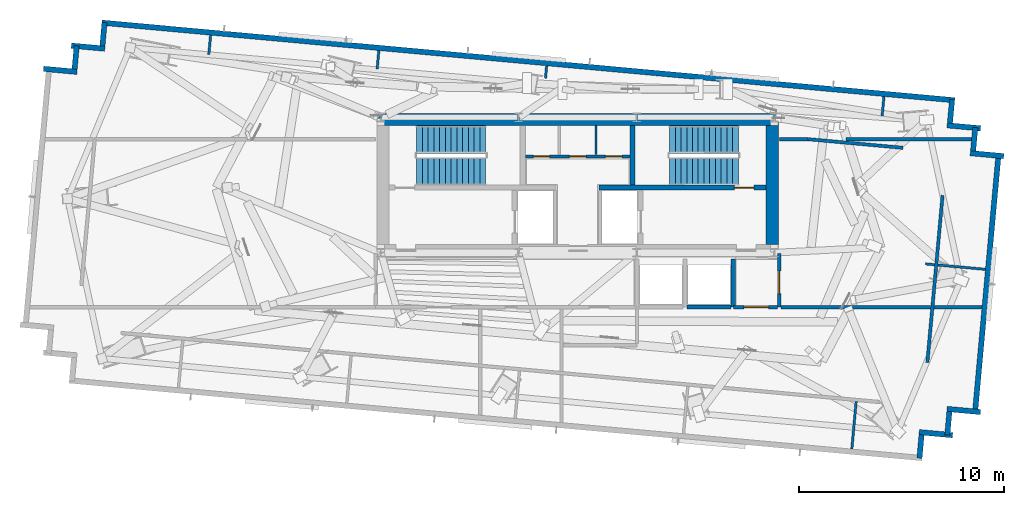
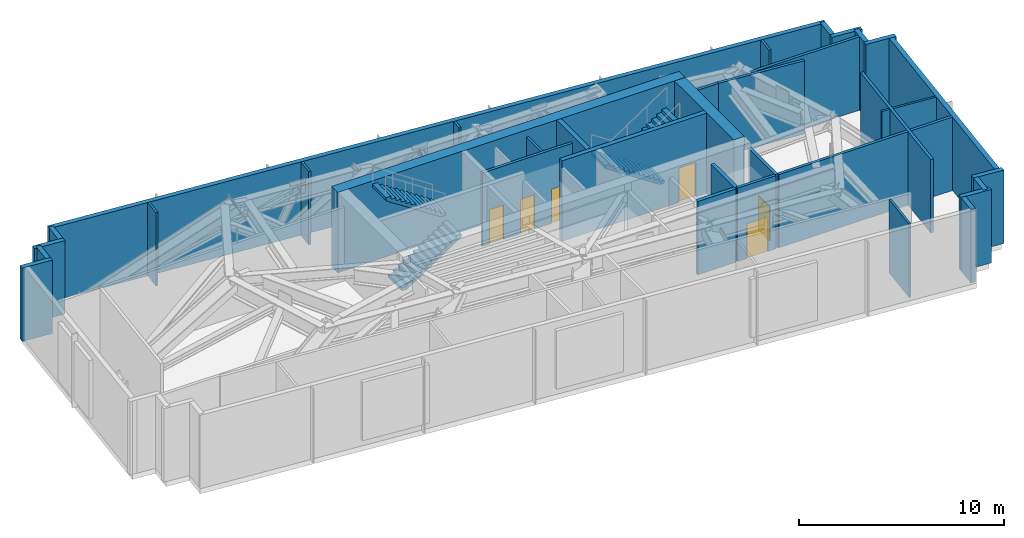
# One storey, part 6 of 9: 37 walls, 6 doors, 4 stair flights, 6 openings, 2 elements without a shape of their own.
"""IFC4 building model written with IfcOpenShell, lengths in metres."""

import ifcopenshell
import ifcopenshell.guid

model = None  # the IFC model being written
_history = None  # IfcOwnerHistory: only IFC2X3 demands one
_inside = {}  # id of a spatial element -> (the spatial element, [elements in it])
_under = {}  # id of a project, library or spatial element -> (it, [spatial elements below it])
_declared = {}  # id of a project -> (the project, [libraries it declares])
_typed = {}  # id of a type object -> (the type object, [elements of that type])
_made_of = {}  # id of a material, layer set ... -> (it, [elements and type objects made of it])


def new_model(schema):
    """Start an empty IFC model of exactly this schema.

    Asked for "IFC4X3", IfcOpenShell would pick the latest addendum, in which some entities
    have other attributes; the version numbers below select the first issue.
    IFC2X3 requires an IfcOwnerHistory on every rooted entity: one is made here for all.
    """
    global model, _history
    if schema == "IFC4X3":
        model = ifcopenshell.file(schema_version=(4, 3, 0, 0))
    else:
        model = ifcopenshell.file(schema=schema)
    _inside.clear()
    _under.clear()
    _declared.clear()
    _typed.clear()
    _made_of.clear()
    _history = None
    if model.schema == "IFC2X3":
        org = make("IfcOrganization", Name="unknown")
        user = make(
            "IfcPersonAndOrganization",
            ThePerson=make("IfcPerson", FamilyName="unknown"),
            TheOrganization=org,
        )
        app = make(
            "IfcApplication",
            ApplicationDeveloper=org,
            Version="unknown",
            ApplicationFullName="unknown",
            ApplicationIdentifier="unknown",
        )
        _history = make(
            "IfcOwnerHistory",
            OwningUser=user,
            OwningApplication=app,
            ChangeAction="ADDED",
            CreationDate=0,
        )
    return model


def make(cls, **values):
    """One entity of the class cls with the attributes given. An attribute that is None is left unset."""
    return model.create_entity(
        cls, **{name: value for name, value in values.items() if value is not None}
    )


def rooted(cls, **values):
    """An entity with a GlobalId (a new one), such as an element, a storey or a relation."""
    return make(cls, GlobalId=ifcopenshell.guid.new(), OwnerHistory=_history, **values)


def si_unit(unit_type, name, prefix=None):
    """IfcSIUnit, for example si_unit("LENGTHUNIT", "METRE", prefix="MILLI")."""
    return make("IfcSIUnit", UnitType=unit_type, Prefix=prefix, Name=name)


def assignment(units):
    """IfcUnitAssignment: the units of a project."""
    return None if units is None else make("IfcUnitAssignment", Units=units)


def point(xyz):
    """IfcCartesianPoint."""
    return None if xyz is None else make("IfcCartesianPoint", Coordinates=xyz)


def direction(xyz):
    """IfcDirection."""
    return None if xyz is None else make("IfcDirection", DirectionRatios=xyz)


def frame(location, z_axis=None, x_axis=None):
    """IfcAxis2Placement3D, a coordinate frame: its origin and axes. An axis left out is left unset."""
    return make(
        "IfcAxis2Placement3D",
        Location=point(location),
        Axis=direction(z_axis),
        RefDirection=direction(x_axis),
    )


def frame_2d(location, x_axis=None):
    """IfcAxis2Placement2D, a coordinate frame in the plane: its origin and x axis."""
    return make(
        "IfcAxis2Placement2D", Location=point(location), RefDirection=direction(x_axis)
    )


def origin():
    """The frame at (0, 0, 0) with its axes left unset."""
    return frame((0.0, 0.0, 0.0))


def place(relative_to, where):
    """IfcLocalPlacement: puts the frame where relative to a parent placement (None: the world)."""
    return make(
        "IfcLocalPlacement", PlacementRelTo=relative_to, RelativePlacement=where
    )


def context(
    kind, dimensions, precision=None, world=None, true_north=None, identifier=None
):
    """IfcGeometricRepresentationContext, for example the 3D "Model" context."""
    return make(
        "IfcGeometricRepresentationContext",
        ContextIdentifier=identifier,
        ContextType=kind,
        CoordinateSpaceDimension=dimensions,
        Precision=precision,
        WorldCoordinateSystem=world,
        TrueNorth=true_north,
    )


def subcontext(parent, identifier, kind, view, scale=None):
    """IfcGeometricRepresentationSubContext, for example "Body" below "Model"."""
    return make(
        "IfcGeometricRepresentationSubContext",
        ContextIdentifier=identifier,
        ContextType=kind,
        ParentContext=parent,
        TargetScale=scale,
        TargetView=view,
    )


def project(units=None, contexts=None):
    """IfcProject with its units and contexts."""
    return rooted(
        "IfcProject",
        Name="project",
        RepresentationContexts=contexts,
        UnitsInContext=assignment(units),
    )


def spatial(cls, under=None, at=None, **own):
    """A site, building, storey or space (cls), placed at a placement, below another one or the project."""
    s = rooted(cls, ObjectPlacement=at, **own)
    if under is not None:
        _under.setdefault(under.id(), (under, []))[1].append(s)
    return s


def polyline(points):
    """IfcPolyline through the points."""
    return make("IfcPolyline", Points=[point(p) for p in points])


def profile(cls, at=None, kind="AREA", **sizes):
    """A parametric profile (cls). Its sizes go by their IFC names, for example OverallWidth=200.0."""
    return make(cls, ProfileType=kind, Position=at, **sizes)


def rectangle(**sizes):
    """IfcRectangleProfileDef."""
    return profile("IfcRectangleProfileDef", **sizes)


def outline(outer, holes=None, kind="AREA"):
    """IfcArbitraryClosedProfileDef: a profile drawn as a closed curve; with holes, ...WithVoids."""
    if holes is None:
        return make("IfcArbitraryClosedProfileDef", ProfileType=kind, OuterCurve=outer)
    return make(
        "IfcArbitraryProfileDefWithVoids",
        ProfileType=kind,
        OuterCurve=outer,
        InnerCurves=holes,
    )


def extrude(swept, where, along, depth):
    """IfcExtrudedAreaSolid: the profile swept, set in the frame where, extruded along a direction by depth."""
    return make(
        "IfcExtrudedAreaSolid",
        SweptArea=swept,
        Position=where,
        ExtrudedDirection=direction(along),
        Depth=depth,
    )


def shape(context_of_items, identifier, shape_type, items):
    """IfcShapeRepresentation: the items that make up one representation, for example the "Body"."""
    return make(
        "IfcShapeRepresentation",
        ContextOfItems=context_of_items,
        RepresentationIdentifier=identifier,
        RepresentationType=shape_type,
        Items=items,
    )


def source(mapping_origin, context_of_items, identifier, shape_type, items):
    """IfcRepresentationMap: a shape defined once, which mapped items show again and again."""
    return make(
        "IfcRepresentationMap",
        MappingOrigin=mapping_origin,
        MappedRepresentation=shape(context_of_items, identifier, shape_type, items),
    )


def transform(
    local_origin,
    x_axis=None,
    y_axis=None,
    z_axis=None,
    scale=None,
    scale2=None,
    scale3=None,
    uniform=True,
):
    """IfcCartesianTransformationOperator3D, or its non-uniform kind. x_axis, y_axis, z_axis: its Axis1, 2, 3."""
    if uniform:
        return make(
            "IfcCartesianTransformationOperator3D",
            Axis1=direction(x_axis),
            Axis2=direction(y_axis),
            LocalOrigin=point(local_origin),
            Scale=scale,
            Axis3=direction(z_axis),
        )
    return make(
        "IfcCartesianTransformationOperator3DnonUniform",
        Axis1=direction(x_axis),
        Axis2=direction(y_axis),
        LocalOrigin=point(local_origin),
        Scale=scale,
        Axis3=direction(z_axis),
        Scale2=scale2,
        Scale3=scale3,
    )


def mapped(mapping_source, mapping_target):
    """IfcMappedItem: shows the shape of a source again, moved by a transform."""
    return make(
        "IfcMappedItem", MappingSource=mapping_source, MappingTarget=mapping_target
    )


def material(Name=None, Category=None):
    """IfcMaterial."""
    return make("IfcMaterial", Name=Name, Category=Category)


def layer(
    of_material, thickness, ventilated=None, Name=None, Category=None, Priority=None
):
    """IfcMaterialLayer: one layer of a wall or slab, of a material (None: an air gap)."""
    return make(
        "IfcMaterialLayer",
        Material=of_material,
        LayerThickness=thickness,
        IsVentilated=ventilated,
        Name=Name,
        Category=Category,
        Priority=Priority,
    )


def layer_set(layers, Name=None):
    """IfcMaterialLayerSet."""
    return make("IfcMaterialLayerSet", MaterialLayers=layers, LayerSetName=Name)


def made_of(thing, what):
    """Note that an element or type object is made of a material, layer set ...; save() writes the relation."""
    if what is not None:
        _made_of.setdefault(what.id(), (what, []))[1].append(thing)
    return thing


def type_object(cls, material=None, **own):
    """A type object (cls), such as IfcWallType, which elements share."""
    return made_of(rooted(cls, **own), material)


def type_shapes(of_type, sources):
    """Give a type object the sources (RepresentationMaps) that its elements show as mapped items."""
    of_type.RepresentationMaps = sources


def element(
    cls,
    number,
    at=None,
    inside=None,
    cuts=None,
    type_object=None,
    material=None,
    context=None,
    identifier="Body",
    shape_type=None,
    held_by="IfcProductDefinitionShape",
    body=None,
    shapes=None,
    **own,
):
    """One element of the class cls, such as IfcWall. Its Tag is "e" and its number.

    at: its placement. inside: the storey or other place that contains it. cuts: it is an
    opening in that element (IfcRelVoidsElement). A single representation is given by context,
    identifier, shape_type and body (its items); several are given by shapes. held_by: the class
    of the entity that holds the representations. save() writes the other relations.
    """
    e = rooted(cls, Tag="e%d" % number, ObjectPlacement=at, **own)
    if body is not None:
        shapes = [shape(context, identifier, shape_type, body)]
    if shapes is not None:
        e.Representation = make(held_by, Representations=shapes)
    if inside is not None:
        _inside.setdefault(inside.id(), (inside, []))[1].append(e)
    if cuts is not None:
        rooted(
            "IfcRelVoidsElement", RelatingBuildingElement=cuts, RelatedOpeningElement=e
        )
    if type_object is not None:
        _typed.setdefault(type_object.id(), (type_object, []))[1].append(e)
    return made_of(e, material)


def fill(opening, filler):
    """IfcRelFillsElement: the door or window that sits in an opening."""
    return rooted(
        "IfcRelFillsElement",
        RelatingOpeningElement=opening,
        RelatedBuildingElement=filler,
    )


def aggregate(whole, parts):
    """IfcRelAggregates: a whole, such as a stair, and the parts it consists of."""
    return rooted("IfcRelAggregates", RelatingObject=whole, RelatedObjects=parts)


def save(model, path):
    """Write the relations noted so far, then the file.

    IfcRelAggregates (storeys below a building ...), IfcRelContainedInSpatialStructure (elements
    in a storey), IfcRelDefinesByType, IfcRelAssociatesMaterial and IfcRelDeclares: one each for
    every whole, place, type object, material and project.
    """
    for whole, parts in _under.values():
        aggregate(whole, parts)
    for where, things in _inside.values():
        rooted(
            "IfcRelContainedInSpatialStructure",
            RelatedElements=things,
            RelatingStructure=where,
        )
    for kind, things in _typed.values():
        rooted("IfcRelDefinesByType", RelatedObjects=things, RelatingType=kind)
    for what, things in _made_of.values():
        rooted("IfcRelAssociatesMaterial", RelatedObjects=things, RelatingMaterial=what)
    for by, libraries in _declared.values():
        rooted("IfcRelDeclares", RelatingContext=by, RelatedDefinitions=libraries)
    model.write(path)


model = new_model("IFC4")

# Units and contexts
model_context = context("Model", 3, precision=1e-05, world=origin(), true_north=direction((0.0, 1.0)))
body_context = subcontext(model_context, "Body", "Model", "MODEL_VIEW")
ifc_project = project(units=[si_unit("LENGTHUNIT", "METRE"), si_unit("AREAUNIT", "SQUARE_METRE"), si_unit("VOLUMEUNIT", "CUBIC_METRE"), si_unit("PLANEANGLEUNIT", "RADIAN"), si_unit("MASSUNIT", "GRAM", prefix="KILO")], contexts=[model_context])

# Site, building, storey
site_placement = place(None, origin())
site = spatial("IfcSite", under=ifc_project, at=site_placement, CompositionType="ELEMENT")
building_placement = place(site_placement, origin())
building = spatial("IfcBuilding", under=site, at=building_placement, Name="Astriad Promenade Condominiums", CompositionType="ELEMENT")
storey_placement = place(building_placement, frame((0.0, 0.0, 259.5)))
storey = spatial("IfcBuildingStorey", under=building, at=storey_placement, Name="L75", CompositionType="ELEMENT", Elevation=259.5)

# Walls
ifc_material_1 = material(Name="Concrete C50/60", Category="concrete")
ifc_layer_1 = layer(ifc_material_1, 0.60009765625)
ifc_layer_set_1 = layer_set([ifc_layer_1], Name="Concrete C50/60")
wall_type_1 = type_object("IfcWallType", Name="CW-SHEAR-600", PredefinedType="SHEAR", material=ifc_layer_set_1)
wall_1_placement = place(storey_placement, frame((26.199951171875, 23.89990234375, 0.0), z_axis=(0.0, 0.0, 1.0), x_axis=(1.0, 0.0, 0.0)))
element("IfcWall", 1, at=wall_1_placement, inside=storey, type_object=wall_type_1, Name="CW-CORE-N-L75", PredefinedType="SHEAR", context=body_context, shape_type="SweptSolid", body=[
    extrude(rectangle(XDim=19.60009765625, YDim=0.60009765625, at=frame_2d((9.800048828125, 0.0))), origin(), (0.0, 0.0, 1.0), 4.800048828125),
])
wall_2_placement = place(storey_placement, frame((45.5, 17.802001953125, 0.0), z_axis=(0.0, 0.0, 1.0), x_axis=(0.0, 1.0, 0.0)))
element("IfcWall", 2, at=wall_2_placement, inside=storey, type_object=wall_type_1, Name="CW-CORE-E-L75", PredefinedType="SHEAR", context=body_context, shape_type="SweptSolid", body=[
    extrude(rectangle(XDim=5.7958984375, YDim=0.60009765625, at=frame_2d((2.89794921875, 0.0))), origin(), (0.0, 0.0, 1.0), 4.800048828125),
])

# Wall, opening, door
ifc_layer_2 = layer(ifc_material_1, 0.25)
ifc_layer_set_2 = layer_set([ifc_layer_2], Name="Concrete C50/60")
wall_type_2 = type_object("IfcWallType", Name="WALL-CORE-INT-250", PredefinedType="SOLIDWALL", material=ifc_layer_set_2)
wall_3_placement = place(storey_placement, frame((37.050048828125, 20.574951171875, 0.0), z_axis=(0.0, 0.0, 1.0), x_axis=(1.0, 0.0, 0.0)))
wall_3 = element("IfcWall", 3, at=wall_3_placement, inside=storey, type_object=wall_type_2, Name="CW-INT-H2-L75", PredefinedType="SOLIDWALL", context=body_context, shape_type="SweptSolid", body=[
    extrude(rectangle(XDim=8.14794921875, YDim=0.25, at=frame_2d((4.073974609375, 0.0))), origin(), (0.0, 0.0, 1.0), 4.800048828125),
])
opening_1_placement = place(wall_3_placement, frame((6.60009765625, 0.0, 0.0)))
opening_1 = element("IfcOpeningElement", 4, at=opening_1_placement, cuts=wall_3, Name="Opening FD90-ST-095", PredefinedType="OPENING", context=body_context, shape_type="SweptSolid", body=[
    extrude(rectangle(XDim=0.949951171875, YDim=2.06005859375, at=frame_2d((0.47509765625, 1.030029296875))), frame((0.0, 0.135009765625, 0.0), z_axis=(0.0, -1.0, 0.0), x_axis=(1.0, 0.0, 0.0)), (0.0, 0.0, 1.0), 0.27001953125),
])
ifc_material_2 = material(Name="Fire-Rated Hollow Metal Stair Door")
door_type_1 = type_object("IfcDoorType", Name="FD90-ST-095", OperationType="NOTDEFINED", PredefinedType="DOOR", material=ifc_material_2)
shared_shape_1 = source(origin(), body_context, "Body", "SweptSolid", [
    extrude(rectangle(XDim=0.949951171875, YDim=2.06005859375, at=frame_2d((0.47509765625, 1.030029296875))), frame((0.0, 0.02490234375, 0.0), z_axis=(0.0, -1.0, 0.0), x_axis=(1.0, 0.0, 0.0)), (0.0, 0.0, 1.0), 0.050048828125),
])
type_shapes(door_type_1, [shared_shape_1])
door_1_placement = place(opening_1_placement, origin())
door_1 = element("IfcDoor", 5, at=door_1_placement, inside=storey, type_object=door_type_1, Name="D-ST2-L75", OperationType="SINGLE_SWING_LEFT", OverallHeight=2.06005859375, OverallWidth=0.949951171875, PredefinedType="DOOR", context=body_context, shape_type="MappedRepresentation", body=[
    mapped(shared_shape_1, transform((0.0, 0.0, 0.0), scale=1.0)),
])
fill(opening_1, door_1)

# Wall
wall_4_placement = place(storey_placement, frame((38.675048828125, 20.701904296875, 0.0), z_axis=(0.0, 0.0, 1.0), x_axis=(0.0, 1.0, 0.0)))
element("IfcWall", 6, at=wall_4_placement, inside=storey, type_object=wall_type_2, Name="CW-ST2-W-L75", PredefinedType="SOLIDWALL", context=body_context, shape_type="SweptSolid", body=[
    extrude(rectangle(XDim=2.89599609375, YDim=0.25, at=frame_2d((1.447998046875, 0.0))), origin(), (0.0, 0.0, 1.0), 4.800048828125),
])

# Wall, openings, doors
ifc_material_3 = material(Name="Fire-Rated Gypsum Partition")
ifc_layer_3 = layer(ifc_material_3, 0.159912109375)
ifc_layer_set_3 = layer_set([ifc_layer_3], Name="Fire-Rated Gypsum Partition")
wall_type_3 = type_object("IfcWallType", Name="WALL-CORR-160", PredefinedType="PARTITIONING", material=ifc_layer_set_3)
wall_5_placement = place(storey_placement, frame((33.451904296875, 22.10009765625, 0.0), z_axis=(0.0, 0.0, 1.0), x_axis=(1.0, 0.0, 0.0)))
wall_5 = element("IfcWall", 7, at=wall_5_placement, inside=storey, type_object=wall_type_3, Name="CW-AUX-N-L75", PredefinedType="PARTITIONING", context=body_context, shape_type="SweptSolid", body=[
    extrude(rectangle(XDim=5.09619140625, YDim=0.159912109375, at=frame_2d((2.548095703125, 0.0))), origin(), (0.0, 0.0, 1.0), 4.3798828125),
])
opening_2_placement = place(wall_5_placement, frame((0.387939453125, 0.0, 0.0)))
opening_2 = element("IfcOpeningElement", 8, at=opening_2_placement, cuts=wall_5, Name="Opening FD60-SV-080", PredefinedType="OPENING", context=body_context, shape_type="SweptSolid", body=[
    extrude(rectangle(XDim=0.800048828125, YDim=2.050048828125, at=frame_2d((0.39990234375, 1.02490234375))), frame((0.0, 0.08984375, 0.0), z_axis=(0.0, -1.0, 0.0), x_axis=(1.0, 0.0, 0.0)), (0.0, 0.0, 1.0), 0.179931640625),
])
opening_3_placement = place(wall_5_placement, frame((2.14794921875, 0.0, 0.0)))
opening_3 = element("IfcOpeningElement", 9, at=opening_3_placement, cuts=wall_5, Name="Opening FD60-SV-080", PredefinedType="OPENING", context=body_context, shape_type="SweptSolid", body=[
    extrude(rectangle(XDim=0.800048828125, YDim=2.050048828125, at=frame_2d((0.39990234375, 1.02490234375))), frame((0.0, 0.08984375, 0.0), z_axis=(0.0, -1.0, 0.0), x_axis=(1.0, 0.0, 0.0)), (0.0, 0.0, 1.0), 0.179931640625),
])
opening_4_placement = place(wall_5_placement, frame((3.907958984375, 0.0, 0.0)))
opening_4 = element("IfcOpeningElement", 10, at=opening_4_placement, cuts=wall_5, Name="Opening FD60-SV-080", PredefinedType="OPENING", context=body_context, shape_type="SweptSolid", body=[
    extrude(rectangle(XDim=0.800048828125, YDim=2.050048828125, at=frame_2d((0.39990234375, 1.02490234375))), frame((0.0, 0.08984375, 0.0), z_axis=(0.0, -1.0, 0.0), x_axis=(1.0, 0.0, 0.0)), (0.0, 0.0, 1.0), 0.179931640625),
])
ifc_material_4 = material(Name="Fire-Rated Riser Closet Door")
door_type_2 = type_object("IfcDoorType", Name="FD60-SV-080", OperationType="NOTDEFINED", PredefinedType="DOOR", material=ifc_material_4)
shared_shape_2 = source(origin(), body_context, "Body", "SweptSolid", [
    extrude(rectangle(XDim=0.800048828125, YDim=2.050048828125, at=frame_2d((0.39990234375, 1.02490234375))), frame((0.0, 0.02490234375, 0.0), z_axis=(0.0, -1.0, 0.0), x_axis=(1.0, 0.0, 0.0)), (0.0, 0.0, 1.0), 0.050048828125),
])
type_shapes(door_type_2, [shared_shape_2])
door_2_placement = place(opening_2_placement, origin())
door_2 = element("IfcDoor", 11, at=door_2_placement, inside=storey, type_object=door_type_2, Name="D-AUX1-L75", OperationType="SINGLE_SWING_RIGHT", OverallHeight=2.050048828125, OverallWidth=0.800048828125, PredefinedType="DOOR", context=body_context, shape_type="MappedRepresentation", body=[
    mapped(shared_shape_2, transform((0.0, 0.0, 0.0), scale=1.0)),
])
fill(opening_2, door_2)
door_3_placement = place(opening_3_placement, origin())
door_3 = element("IfcDoor", 12, at=door_3_placement, inside=storey, type_object=door_type_2, Name="D-AUX2-L75", OperationType="SINGLE_SWING_LEFT", OverallHeight=2.050048828125, OverallWidth=0.800048828125, PredefinedType="DOOR", context=body_context, shape_type="MappedRepresentation", body=[
    mapped(shared_shape_2, transform((0.0, 0.0, 0.0), scale=1.0)),
])
fill(opening_3, door_3)
door_4_placement = place(opening_4_placement, origin())
door_4 = element("IfcDoor", 13, at=door_4_placement, inside=storey, type_object=door_type_2, Name="D-AUX3-L75", OperationType="SINGLE_SWING_RIGHT", OverallHeight=2.050048828125, OverallWidth=0.800048828125, PredefinedType="DOOR", context=body_context, shape_type="MappedRepresentation", body=[
    mapped(shared_shape_2, transform((0.0, 0.0, 0.0), scale=1.0)),
])
fill(opening_4, door_4)

# Walls
wall_6_placement = place(storey_placement, frame((47.258056640625, 22.93994140625, 0.0), z_axis=(0.0, 0.0, 1.0), x_axis=(0.995888036198, -0.090592601013, 0.0)))
element("IfcWall", 14, at=wall_6_placement, inside=storey, type_object=wall_type_3, Name="PT-L75-BTR-02", PredefinedType="PARTITIONING", context=body_context, shape_type="SweptSolid", body=[
    extrude(rectangle(XDim=4.64599609375, YDim=0.159912109375, at=frame_2d((2.322998046875, 0.0))), origin(), (0.0, 0.0, 1.0), 4.3798828125),
])
wall_7_placement = place(storey_placement, frame((53.81591796875, 20.200927734375, 0.0), z_axis=(0.0, 0.0, 1.0), x_axis=(-0.0906700727, -0.995880985819, 0.0)))
element("IfcWall", 15, at=wall_7_placement, inside=storey, type_object=wall_type_3, Name="PT-L75-BTR-03", PredefinedType="PARTITIONING", context=body_context, shape_type="SweptSolid", body=[
    extrude(rectangle(XDim=8.193603515625, YDim=0.159912109375, at=frame_2d((4.0966796875, 0.0))), origin(), (0.0, 0.0, 1.0), 4.3798828125),
])
wall_8_placement = place(storey_placement, frame((45.85009765625, 22.93994140625, 0.0), z_axis=(0.0, 0.0, 1.0), x_axis=(1.0, 0.0, 0.0)))
element("IfcWall", 16, at=wall_8_placement, inside=storey, type_object=wall_type_3, Name="PT-L75-OUTE", PredefinedType="PARTITIONING", context=body_context, shape_type="SweptSolid", body=[
    extrude(rectangle(XDim=1.407958984375, YDim=0.159912109375, at=frame_2d((0.7041015625, 0.0))), origin(), (0.0, 0.0, 1.0), 4.3798828125),
])
wall_9_placement = place(storey_placement, frame((49.112060546875, 22.93994140625, 0.0), z_axis=(0.0, 0.0, 1.0), x_axis=(1.0, 0.0, 0.0)))
element("IfcWall", 17, at=wall_9_placement, inside=storey, type_object=wall_type_3, Name="PT-L75-OUTE-S2", PredefinedType="PARTITIONING", context=body_context, shape_type="SweptSolid", body=[
    extrude(rectangle(XDim=6.115966796875, YDim=0.159912109375, at=frame_2d((3.05810546875, 0.0))), origin(), (0.0, 0.0, 1.0), 4.3798828125),
])

# Wall, opening, door
wall_10_placement = place(storey_placement, frame((45.85009765625, 14.739990234375, 0.0), z_axis=(0.0, 0.0, 1.0), x_axis=(0.0, 1.0, 0.0)))
wall_10 = element("IfcWall", 18, at=wall_10_placement, inside=storey, type_object=wall_type_3, Name="PT-L75-PCE", PredefinedType="PARTITIONING", context=body_context, shape_type="SweptSolid", body=[
    extrude(rectangle(XDim=2.610107421875, YDim=0.159912109375, at=frame_2d((1.30517578125, 0.0))), origin(), (0.0, 0.0, 1.0), 4.3798828125),
])
opening_5_placement = place(wall_10_placement, frame((0.659912109375, 0.0, 0.0)))
opening_5 = element("IfcOpeningElement", 19, at=opening_5_placement, cuts=wall_10, Name="Opening FD90-REF-1121", PredefinedType="OPENING", context=body_context, shape_type="SweptSolid", body=[
    extrude(rectangle(XDim=1.10009765625, YDim=2.06005859375, at=frame_2d((0.550048828125, 1.030029296875))), frame((0.0, 0.08984375, 0.0), z_axis=(0.0, -1.0, 0.0), x_axis=(1.0, 0.0, 0.0)), (0.0, 0.0, 1.0), 0.179931640625),
])
ifc_material_5 = material(Name="Fire-Rated Refuge Door")
door_type_3 = type_object("IfcDoorType", Name="FD90-REF-1121", OperationType="NOTDEFINED", PredefinedType="DOOR", material=ifc_material_5)
shared_shape_3 = source(origin(), body_context, "Body", "SweptSolid", [
    extrude(rectangle(XDim=1.10009765625, YDim=2.06005859375, at=frame_2d((0.550048828125, 1.030029296875))), frame((0.0, 0.02490234375, 0.0), z_axis=(0.0, -1.0, 0.0), x_axis=(1.0, 0.0, 0.0)), (0.0, 0.0, 1.0), 0.050048828125),
])
type_shapes(door_type_3, [shared_shape_3])
door_5_placement = place(opening_5_placement, origin())
door_5 = element("IfcDoor", 20, at=door_5_placement, inside=storey, type_object=door_type_3, Name="D-L75-REFE", OperationType="SINGLE_SWING_RIGHT", OverallHeight=2.06005859375, OverallWidth=1.10009765625, PredefinedType="DOOR", context=body_context, shape_type="MappedRepresentation", body=[
    mapped(shared_shape_3, transform((0.0, 0.0, 0.0), scale=1.0)),
])
fill(opening_5, door_5)

wall_11_placement = place(storey_placement, frame((43.60009765625, 14.739990234375, 0.0), z_axis=(0.0, 0.0, 1.0), x_axis=(1.0, 0.0, 0.0)))
wall_11 = element("IfcWall", 21, at=wall_11_placement, inside=storey, type_object=wall_type_3, Name="PT-L75-PCES", PredefinedType="PARTITIONING", context=body_context, shape_type="SweptSolid", body=[
    extrude(rectangle(XDim=2.16796875, YDim=0.159912109375, at=frame_2d((1.083984375, 0.0))), origin(), (0.0, 0.0, 1.0), 4.3798828125),
])
opening_6_placement = place(wall_11_placement, frame((0.52001953125, 0.0, 0.0)))
opening_6 = element("IfcOpeningElement", 22, at=opening_6_placement, cuts=wall_11, Name="Opening FD90-PLT-1222", PredefinedType="OPENING", context=body_context, shape_type="SweptSolid", body=[
    extrude(rectangle(XDim=1.199951171875, YDim=2.080078125, at=frame_2d((0.60009765625, 1.0400390625))), frame((0.0, 0.08984375, 0.0), z_axis=(0.0, -1.0, 0.0), x_axis=(1.0, 0.0, 0.0)), (0.0, 0.0, 1.0), 0.179931640625),
])
ifc_material_6 = material(Name="Fire-Rated Double-Insulated Plant Door")
door_type_4 = type_object("IfcDoorType", Name="FD90-PLT-1222", OperationType="NOTDEFINED", PredefinedType="DOOR", material=ifc_material_6)
shared_shape_4 = source(origin(), body_context, "Body", "SweptSolid", [
    extrude(rectangle(XDim=1.199951171875, YDim=2.080078125, at=frame_2d((0.60009765625, 1.0400390625))), frame((0.0, 0.02490234375, 0.0), z_axis=(0.0, -1.0, 0.0), x_axis=(1.0, 0.0, 0.0)), (0.0, 0.0, 1.0), 0.050048828125),
])
type_shapes(door_type_4, [shared_shape_4])
door_6_placement = place(opening_6_placement, origin())
door_6 = element("IfcDoor", 23, at=door_6_placement, inside=storey, type_object=door_type_4, Name="D-L75-PL3", OperationType="SINGLE_SWING_RIGHT", OverallHeight=2.080078125, OverallWidth=1.199951171875, PredefinedType="DOOR", context=body_context, shape_type="MappedRepresentation", body=[
    mapped(shared_shape_4, transform((0.0, 0.0, 0.0), scale=1.0)),
])
fill(opening_6, door_6)

# Walls
wall_12_placement = place(storey_placement, frame((45.931884765625, 14.739990234375, 0.0), z_axis=(0.0, 0.0, 1.0), x_axis=(1.0, 0.0, 0.0)))
element("IfcWall", 24, at=wall_12_placement, inside=storey, type_object=wall_type_3, Name="PT-L75-PCNE", PredefinedType="PARTITIONING", context=body_context, shape_type="SweptSolid", body=[
    extrude(rectangle(XDim=7.304443359375, YDim=0.159912109375, at=frame_2d((3.65234375, 0.0))), origin(), (0.0, 0.0, 1.0), 4.3798828125),
])
wall_13_placement = place(storey_placement, frame((53.401123046875, 14.739990234375, 0.0), z_axis=(0.0, 0.0, 1.0), x_axis=(1.0, 0.0, 0.0)))
element("IfcWall", 25, at=wall_13_placement, inside=storey, type_object=wall_type_3, Name="PT-L75-PCNE-S2", PredefinedType="PARTITIONING", context=body_context, shape_type="SweptSolid", body=[
    extrude(rectangle(XDim=2.335693359375, YDim=0.159912109375, at=frame_2d((1.16796875, 0.0))), origin(), (0.0, 0.0, 1.0), 4.3798828125),
])
ifc_material_7 = material(Name="Precast concrete C50/60", Category="concrete")
ifc_layer_4 = layer(ifc_material_7, 0.260009765625)
ifc_layer_set_4 = layer_set([ifc_layer_4], Name="Precast concrete C50/60")
wall_type_4 = type_object("IfcWallType", Name="WALL-EXT-TWR-260", PredefinedType="STANDARD", material=ifc_layer_set_4)
wall_14_placement = place(storey_placement, frame((9.93505859375, 26.376708984375, 0.0), z_axis=(0.0, 0.0, 1.0), x_axis=(0.995882217569, -0.090656542676, 0.0)))
element("IfcWall", 26, at=wall_14_placement, inside=storey, type_object=wall_type_4, Name="W-SER-L75-04", PredefinedType="STANDARD", context=body_context, shape_type="SweptSolid", body=[
    extrude(rectangle(XDim=1.64013671875, YDim=0.260009765625, at=frame_2d((0.820068359375, 0.0))), origin(), (0.0, 0.0, 1.0), 4.3798828125),
])
wall_15_placement = place(storey_placement, frame((11.44921875, 26.3544921875, 0.0), z_axis=(0.0, 0.0, 1.0), x_axis=(0.090861140191, 0.995863571582, 0.0)))
element("IfcWall", 27, at=wall_15_placement, inside=storey, type_object=wall_type_4, Name="W-SER-L75-05", PredefinedType="STANDARD", context=body_context, shape_type="SweptSolid", body=[
    extrude(rectangle(XDim=1.14990234375, YDim=0.260009765625, at=frame_2d((0.574951171875, 0.0))), origin(), (0.0, 0.0, 1.0), 4.3798828125),
])
wall_16_placement = place(storey_placement, frame((11.293212890625, 27.50830078125, 0.0), z_axis=(0.0, 0.0, 1.0), x_axis=(0.995882217569, -0.090656542676, 0.0)))
element("IfcWall", 28, at=wall_16_placement, inside=storey, type_object=wall_type_4, Name="W-SER-L75-06", PredefinedType="STANDARD", context=body_context, shape_type="SweptSolid", body=[
    extrude(rectangle(XDim=1.64013671875, YDim=0.260009765625, at=frame_2d((0.820068359375, 0.0))), origin(), (0.0, 0.0, 1.0), 4.3798828125),
])
wall_17_placement = place(storey_placement, frame((12.8076171875, 27.486083984375, 0.0), z_axis=(0.0, 0.0, 1.0), x_axis=(0.090440036358, 0.995901902711, 0.0)))
element("IfcWall", 29, at=wall_17_placement, inside=storey, type_object=wall_type_4, Name="W-SER-L75-07", PredefinedType="STANDARD", context=body_context, shape_type="SweptSolid", body=[
    extrude(rectangle(XDim=1.14990234375, YDim=0.260009765625, at=frame_2d((0.574951171875, 0.0))), origin(), (0.0, 0.0, 1.0), 4.3798828125),
])
wall_18_placement = place(storey_placement, frame((12.78076171875, 28.628173828125, 0.0), z_axis=(0.0, 0.0, 1.0), x_axis=(0.995884105287, -0.090635803281, 0.0)))
element("IfcWall", 30, at=wall_18_placement, inside=storey, type_object=wall_type_4, Name="W-PLT-L75-N", PredefinedType="STANDARD", context=body_context, shape_type="SweptSolid", body=[
    extrude(rectangle(XDim=41.800048828125, YDim=0.260009765625, at=frame_2d((20.89990234375, 0.0))), origin(), (0.0, 0.0, 1.0), 4.3798828125),
])
wall_19_placement = place(storey_placement, frame((54.28076171875, 24.866455078125, 0.0), z_axis=(0.0, 0.0, 1.0), x_axis=(-0.090650594353, -0.995882759035, 0.0)))
element("IfcWall", 31, at=wall_19_placement, inside=storey, type_object=wall_type_4, Name="W-SER-L75-09", PredefinedType="STANDARD", context=body_context, shape_type="SweptSolid", body=[
    extrude(rectangle(XDim=1.14990234375, YDim=0.260009765625, at=frame_2d((0.574951171875, 0.0))), origin(), (0.0, 0.0, 1.0), 4.3798828125),
])
wall_20_placement = place(storey_placement, frame((54.03662109375, 23.618408203125, 0.0), z_axis=(0.0, 0.0, 1.0), x_axis=(0.995882217569, -0.090656542676, 0.0)))
element("IfcWall", 32, at=wall_20_placement, inside=storey, type_object=wall_type_4, Name="W-SER-L75-10", PredefinedType="STANDARD", context=body_context, shape_type="SweptSolid", body=[
    extrude(rectangle(XDim=1.64013671875, YDim=0.260009765625, at=frame_2d((0.820068359375, 0.0))), origin(), (0.0, 0.0, 1.0), 4.3798828125),
])
wall_21_placement = place(storey_placement, frame((55.412353515625, 23.50830078125, 0.0), z_axis=(0.0, 0.0, 1.0), x_axis=(-0.090650594353, -0.995882759035, 0.0)))
element("IfcWall", 33, at=wall_21_placement, inside=storey, type_object=wall_type_4, Name="W-SER-L75-11", PredefinedType="STANDARD", context=body_context, shape_type="SweptSolid", body=[
    extrude(rectangle(XDim=1.14990234375, YDim=0.260009765625, at=frame_2d((0.574951171875, 0.0))), origin(), (0.0, 0.0, 1.0), 4.3798828125),
])
wall_22_placement = place(storey_placement, frame((55.168212890625, 22.260009765625, 0.0), z_axis=(0.0, 0.0, 1.0), x_axis=(0.995895646488, -0.090508901803, 0.0)))
element("IfcWall", 34, at=wall_22_placement, inside=storey, type_object=wall_type_4, Name="W-SER-L75-12", PredefinedType="STANDARD", context=body_context, shape_type="SweptSolid", body=[
    extrude(rectangle(XDim=1.64013671875, YDim=0.260009765625, at=frame_2d((0.820068359375, 0.0))), origin(), (0.0, 0.0, 1.0), 4.3798828125),
])
wall_23_placement = place(storey_placement, frame((56.55419921875, 22.2646484375, 0.0), z_axis=(0.0, 0.0, 1.0), x_axis=(-0.09063721027, -0.995883977236, 0.0)))
element("IfcWall", 35, at=wall_23_placement, inside=storey, type_object=wall_type_4, Name="W-PLT-L75-E", PredefinedType="STANDARD", context=body_context, shape_type="SweptSolid", body=[
    extrude(rectangle(XDim=12.800048828125, YDim=0.260009765625, at=frame_2d((6.39990234375, 0.0))), origin(), (0.0, 0.0, 1.0), 4.3798828125),
])
wall_24_placement = place(storey_placement, frame((55.664794921875, 9.623291015625, 0.0), z_axis=(0.0, 0.0, 1.0), x_axis=(-0.995880993864, 0.090669984342, 0.0)))
element("IfcWall", 36, at=wall_24_placement, inside=storey, type_object=wall_type_4, Name="W-SER-L75-14", PredefinedType="STANDARD", context=body_context, shape_type="SweptSolid", body=[
    extrude(rectangle(XDim=1.639892578125, YDim=0.260009765625, at=frame_2d((0.81982421875, 0.0))), origin(), (0.0, 0.0, 1.0), 4.3798828125),
])
wall_25_placement = place(storey_placement, frame((54.150634765625, 9.6455078125, 0.0), z_axis=(0.0, 0.0, 1.0), x_axis=(-0.090650594353, -0.995882759035, 0.0)))
element("IfcWall", 37, at=wall_25_placement, inside=storey, type_object=wall_type_4, Name="W-SER-L75-15", PredefinedType="STANDARD", context=body_context, shape_type="SweptSolid", body=[
    extrude(rectangle(XDim=1.14990234375, YDim=0.260009765625, at=frame_2d((0.574951171875, 0.0))), origin(), (0.0, 0.0, 1.0), 4.3798828125),
])
wall_26_placement = place(storey_placement, frame((54.306884765625, 8.49169921875, 0.0), z_axis=(0.0, 0.0, 1.0), x_axis=(-0.995882217569, 0.090656542676, 0.0)))
element("IfcWall", 38, at=wall_26_placement, inside=storey, type_object=wall_type_4, Name="W-SER-L75-16", PredefinedType="STANDARD", context=body_context, shape_type="SweptSolid", body=[
    extrude(rectangle(XDim=1.64013671875, YDim=0.260009765625, at=frame_2d((0.820068359375, 0.0))), origin(), (0.0, 0.0, 1.0), 4.3798828125),
])
wall_27_placement = place(storey_placement, frame((52.79248046875, 8.513916015625, 0.0), z_axis=(0.0, 0.0, 1.0), x_axis=(-0.090650594353, -0.995882759035, 0.0)))
element("IfcWall", 39, at=wall_27_placement, inside=storey, type_object=wall_type_4, Name="W-SER-L75-17", PredefinedType="STANDARD", context=body_context, shape_type="SweptSolid", body=[
    extrude(rectangle(XDim=1.14990234375, YDim=0.260009765625, at=frame_2d((0.574951171875, 0.0))), origin(), (0.0, 0.0, 1.0), 4.3798828125),
])
ifc_material_8 = material(Name="Acoustic Metal-Stud Gypsum Partition")
ifc_layer_5 = layer(ifc_material_8, 0.1201171875)
ifc_layer_set_5 = layer_set([ifc_layer_5], Name="Acoustic Metal-Stud Gypsum Partition")
wall_type_5 = type_object("IfcWallType", Name="WALL-PART-120", PredefinedType="PARTITIONING", material=ifc_layer_set_5)
wall_28_placement = place(storey_placement, frame((36.89990234375, 22.181884765625, 0.0), z_axis=(0.0, 0.0, 1.0), x_axis=(0.0, 1.0, 0.0)))
element("IfcWall", 40, at=wall_28_placement, inside=storey, type_object=wall_type_5, Name="CW-AUX-V2-L75", PredefinedType="PARTITIONING", context=body_context, shape_type="SweptSolid", body=[
    extrude(rectangle(XDim=1.416015625, YDim=0.1201171875, at=frame_2d((0.7080078125, 0.0))), origin(), (0.0, 0.0, 1.0), 4.3798828125),
])
wall_29_placement = place(storey_placement, frame((49.59765625, 10.133056640625, 0.0), z_axis=(0.0, 0.0, 1.0), x_axis=(-0.090696646053, -0.995878566089, 0.0)))
element("IfcWall", 41, at=wall_29_placement, inside=storey, type_object=wall_type_5, Name="PT-PIL-L75-PC05-12", PredefinedType="PARTITIONING", context=body_context, shape_type="SweptSolid", body=[
    extrude(rectangle(XDim=2.32568359375, YDim=0.1201171875, at=frame_2d((1.162841796875, 0.0))), origin(), (0.0, 0.0, 1.0), 4.3798828125),
])
wall_30_placement = place(storey_placement, frame((18.002197265625, 27.066650390625, 0.0), z_axis=(0.0, 0.0, 1.0), x_axis=(0.090744346907, 0.995874220725, 0.0)))
element("IfcWall", 42, at=wall_30_placement, inside=storey, type_object=wall_type_5, Name="PT-PIL-L75-PC06-13", PredefinedType="PARTITIONING", context=body_context, shape_type="SweptSolid", body=[
    extrude(rectangle(XDim=0.94970703125, YDim=0.1201171875, at=frame_2d((0.474853515625, 0.0))), origin(), (0.0, 0.0, 1.0), 4.3798828125),
])
wall_31_placement = place(storey_placement, frame((26.218505859375, 26.361083984375, 0.0), z_axis=(0.0, 0.0, 1.0), x_axis=(0.090632740325, 0.995884384043, 0.0)))
element("IfcWall", 43, at=wall_31_placement, inside=storey, type_object=wall_type_5, Name="PT-PIL-L75-PC07-14", PredefinedType="PARTITIONING", context=body_context, shape_type="SweptSolid", body=[
    extrude(rectangle(XDim=0.90771484375, YDim=0.1201171875, at=frame_2d((0.453857421875, 0.0))), origin(), (0.0, 0.0, 1.0), 4.3798828125),
])
wall_32_placement = place(storey_placement, frame((34.434326171875, 25.91259765625, 0.0), z_axis=(0.0, 0.0, 1.0), x_axis=(0.090860547837, 0.995863625627, 0.0)))
element("IfcWall", 44, at=wall_32_placement, inside=storey, type_object=wall_type_5, Name="PT-PIL-L75-PC08-15", PredefinedType="PARTITIONING", context=body_context, shape_type="SweptSolid", body=[
    extrude(rectangle(XDim=0.60986328125, YDim=0.1201171875, at=frame_2d((0.304931640625, 0.0))), origin(), (0.0, 0.0, 1.0), 4.3798828125),
])
wall_33_placement = place(storey_placement, frame((50.866455078125, 24.07568359375, 0.0), z_axis=(0.0, 0.0, 1.0), x_axis=(0.090721121772, 0.995876336733, 0.0)))
element("IfcWall", 45, at=wall_33_placement, inside=storey, type_object=wall_type_5, Name="PT-PIL-L75-PC10-17", PredefinedType="PARTITIONING", context=body_context, shape_type="SweptSolid", body=[
    extrude(rectangle(XDim=0.949951171875, YDim=0.1201171875, at=frame_2d((0.47509765625, 0.0))), origin(), (0.0, 0.0, 1.0), 4.3798828125),
])
wall_34_placement = place(storey_placement, frame((52.980712890625, 16.8544921875, 0.0), z_axis=(0.0, 0.0, 1.0), x_axis=(0.995870762784, -0.090782288096, 0.0)))
element("IfcWall", 46, at=wall_34_placement, inside=storey, type_object=wall_type_5, Name="PT-PIL-L75-PC12-19", PredefinedType="PARTITIONING", context=body_context, shape_type="SweptSolid", body=[
    extrude(rectangle(XDim=0.446533203125, YDim=0.1201171875, at=frame_2d((0.22314453125, 0.0))), origin(), (0.0, 0.0, 1.0), 4.3798828125),
])
wall_35_placement = place(storey_placement, frame((53.588623046875, 16.799072265625, 0.0), z_axis=(0.0, 0.0, 1.0), x_axis=(0.995888903581, -0.090583065324, 0.0)))
element("IfcWall", 47, at=wall_35_placement, inside=storey, type_object=wall_type_5, Name="PT-PIL-L75-PC12-19-S2", PredefinedType="PARTITIONING", context=body_context, shape_type="SweptSolid", body=[
    extrude(rectangle(XDim=2.325927734375, YDim=0.1201171875, at=frame_2d((1.1630859375, 0.0))), origin(), (0.0, 0.0, 1.0), 4.3798828125),
])
ifc_material_9 = material(Name="Gypsum Shaftliner Assembly")
ifc_layer_6 = layer(ifc_material_9, 0.199951171875)
ifc_layer_set_6 = layer_set([ifc_layer_6], Name="Gypsum Shaftliner Assembly")
wall_type_6 = type_object("IfcWallType", Name="WALL-SHAFT-200", PredefinedType="PARTITIONING", material=ifc_layer_set_6)
wall_36_placement = place(storey_placement, frame((43.60009765625, 14.75, 0.0), z_axis=(0.0, 0.0, 1.0), x_axis=(0.0, 1.0, 0.0)))
element("IfcWall", 48, at=wall_36_placement, inside=storey, type_object=wall_type_6, Name="PL-E-OUT-L75", PredefinedType="PARTITIONING", context=body_context, shape_type="SweptSolid", body=[
    extrude(rectangle(XDim=2.35009765625, YDim=0.199951171875, at=frame_2d((1.175048828125, 0.0))), origin(), (0.0, 0.0, 1.0), 4.3798828125),
])
wall_37_placement = place(storey_placement, frame((41.35205078125, 14.75, 0.0), z_axis=(0.0, 0.0, 1.0), x_axis=(1.0, 0.0, 0.0)))
element("IfcWall", 49, at=wall_37_placement, inside=storey, type_object=wall_type_6, Name="PL-H-FRT-L75-S2", PredefinedType="PARTITIONING", context=body_context, shape_type="SweptSolid", body=[
    extrude(rectangle(XDim=2.14599609375, YDim=0.199951171875, at=frame_2d((1.072998046875, 0.0))), origin(), (0.0, 0.0, 1.0), 4.3798828125),
])

# Stair, stair flights
stair_type = type_object("IfcStairType", Name="STR-CORE-1350", PredefinedType="HALF_TURN_STAIR", material=ifc_material_1)
stair_1_placement = place(storey_placement, origin())
stair_1 = element("IfcStair", 50, at=stair_1_placement, inside=storey, type_object=stair_type, Name="L75 Enclosed Core Exit Stair ST-1", PredefinedType="HALF_TURN_STAIR")
stair_flight_type = type_object("IfcStairFlightType", Name="SFL-CORE-1350", PredefinedType="STRAIGHT", material=ifc_material_1)
shared_shape_5 = source(origin(), body_context, "Body", "SweptSolid", [
    extrude(outline(polyline([(0.0, 0.0), (0.0, 0.1845703125), (0.280029296875, 0.1845703125), (0.280029296875, 0.369140625), (0.56005859375, 0.369140625), (0.56005859375, 0.553955078125), (0.840087890625, 0.553955078125), (0.840087890625, 0.738525390625), (1.1201171875, 0.738525390625), (1.1201171875, 0.923095703125), (1.39990234375, 0.923095703125), (1.39990234375, 1.107666015625), (1.679931640625, 1.107666015625), (1.679931640625, 1.292236328125), (1.9599609375, 1.292236328125), (1.9599609375, 1.476806640625), (2.239990234375, 1.476806640625), (2.239990234375, 1.66162109375), (2.52001953125, 1.66162109375), (2.52001953125, 1.84619140625), (2.800048828125, 1.84619140625), (2.800048828125, 2.03076171875), (3.080078125, 2.03076171875), (3.080078125, 2.21533203125), (3.360107421875, 2.21533203125), (3.360107421875, 2.39990234375), (3.360107421875, 2.035888671875), (0.272216796875, 0.0), (0.0, 0.0)])), frame((0.0, 0.675048828125, 0.0), z_axis=(0.0, -1.0, 0.0), x_axis=(1.0, 0.0, 0.0)), (0.0, 0.0, 1.0), 1.35009765625),
])
type_shapes(stair_flight_type, [shared_shape_5])
stair_flight_1_placement = place(storey_placement, frame((28.14990234375, 21.375, 0.0), z_axis=(0.0, 0.0, 1.0), x_axis=(1.0, 0.0, 0.0)))
stair_flight_1 = element("IfcStairFlight", 51, at=stair_flight_1_placement, type_object=stair_flight_type, Name="ST-1 flight 1", NumberOfRisers=13, NumberOfTreads=12, PredefinedType="STRAIGHT", RiserHeight=0.184615385, TreadLength=0.28, context=body_context, shape_type="MappedRepresentation", body=[
    mapped(shared_shape_5, transform((0.0, 0.0, 0.0), scale=1.0)),
])
stair_flight_2_placement = place(storey_placement, frame((31.510009765625, 22.925048828125, 2.39990234375), z_axis=(0.0, 0.0, 1.0), x_axis=(-1.0, 0.0, 0.0)))
stair_flight_2 = element("IfcStairFlight", 52, at=stair_flight_2_placement, type_object=stair_flight_type, Name="ST-1 flight 2", NumberOfRisers=13, NumberOfTreads=12, PredefinedType="STRAIGHT", RiserHeight=0.184615385, TreadLength=0.28, context=body_context, shape_type="MappedRepresentation", body=[
    mapped(shared_shape_5, transform((0.0, 0.0, 0.0), scale=1.0)),
])
aggregate(stair_1, [stair_flight_1, stair_flight_2])

stair_2_placement = place(storey_placement, origin())
stair_2 = element("IfcStair", 53, at=stair_2_placement, inside=storey, type_object=stair_type, Name="L75 Enclosed Core Exit Stair ST-2", PredefinedType="HALF_TURN_STAIR")
stair_flight_3_placement = place(storey_placement, frame((43.85009765625, 22.925048828125, 0.0), z_axis=(0.0, 0.0, 1.0), x_axis=(-1.0, 0.0, 0.0)))
stair_flight_3 = element("IfcStairFlight", 54, at=stair_flight_3_placement, type_object=stair_flight_type, Name="ST-2 flight 1", NumberOfRisers=13, NumberOfTreads=12, PredefinedType="STRAIGHT", RiserHeight=0.184615385, TreadLength=0.28, context=body_context, shape_type="MappedRepresentation", body=[
    mapped(shared_shape_5, transform((0.0, 0.0, 0.0), scale=1.0)),
])
stair_flight_4_placement = place(storey_placement, frame((40.489990234375, 21.375, 2.39990234375), z_axis=(0.0, 0.0, 1.0), x_axis=(1.0, 0.0, 0.0)))
stair_flight_4 = element("IfcStairFlight", 55, at=stair_flight_4_placement, type_object=stair_flight_type, Name="ST-2 flight 2", NumberOfRisers=13, NumberOfTreads=12, PredefinedType="STRAIGHT", RiserHeight=0.184615385, TreadLength=0.28, context=body_context, shape_type="MappedRepresentation", body=[
    mapped(shared_shape_5, transform((0.0, 0.0, 0.0), scale=1.0)),
])
aggregate(stair_2, [stair_flight_3, stair_flight_4])

save(model, "model.ifc")
